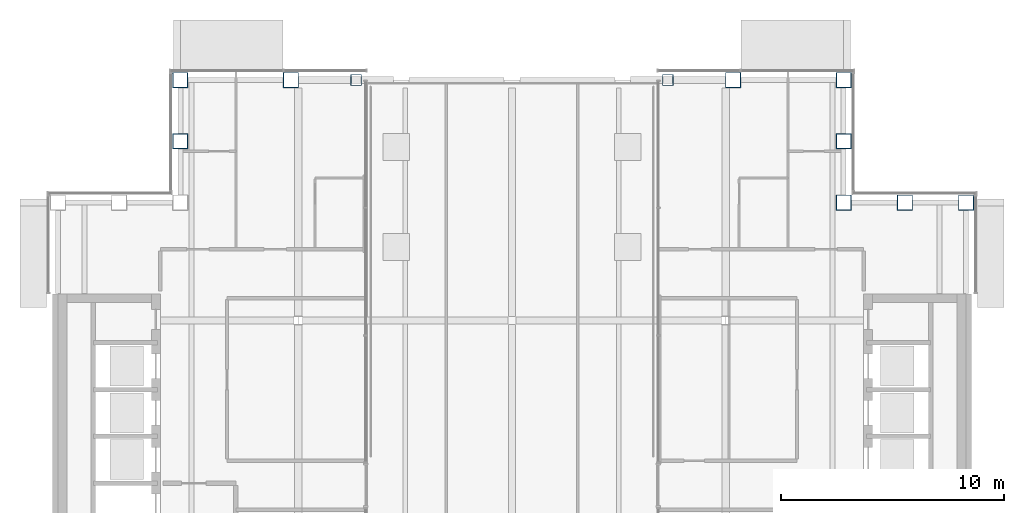
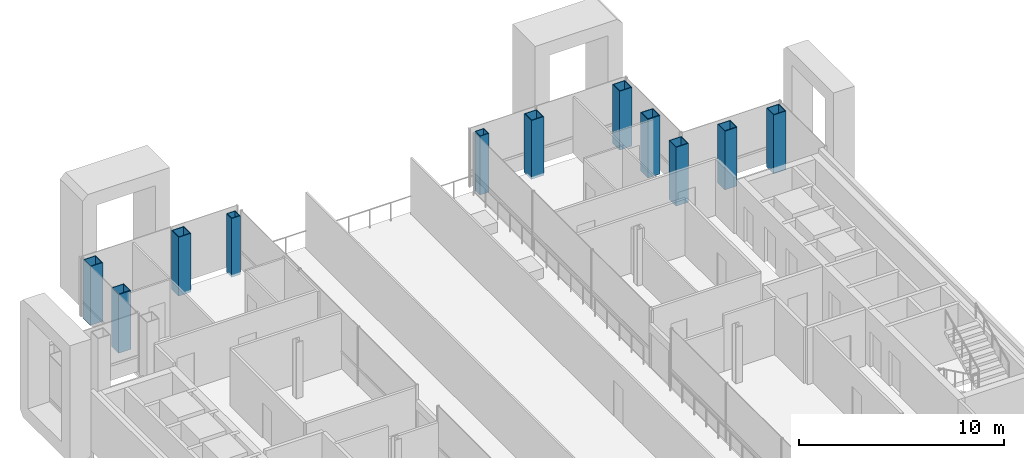
# One storey, part 2 of 17: 11 columns.
"""IFC4 building model written with IfcOpenShell, lengths in metres."""

from ifc_helpers import new_model, si_unit, direction, frame, origin, origin_2d, place, context, subcontext, project, spatial, hollow_rectangle, extrude, material, material_profile, profile_set, type_object, element, save


model = new_model("IFC4")

# Units and contexts
model_context = context("Model", 3, precision=1e-05, world=origin(), true_north=direction((0.0, 1.0)))
body_context = subcontext(model_context, "Body", "Model", "MODEL_VIEW")
ifc_project = project(units=[si_unit("LENGTHUNIT", "METRE"), si_unit("AREAUNIT", "SQUARE_METRE"), si_unit("VOLUMEUNIT", "CUBIC_METRE"), si_unit("PLANEANGLEUNIT", "RADIAN"), si_unit("MASSUNIT", "GRAM", prefix="KILO")], contexts=[model_context])

# Site, building, storey
site_placement = place(None, origin())
site = spatial("IfcSite", under=ifc_project, at=site_placement, CompositionType="ELEMENT")
building_placement = place(site_placement, origin())
building = spatial("IfcBuilding", under=site, at=building_placement, Name="Cobrizo Arcos Hotel Tower", CompositionType="ELEMENT")
storey_placement = place(building_placement, frame((0.0, 0.0, 219.0)))
storey = spatial("IfcBuildingStorey", under=building, at=storey_placement, Name="L57", CompositionType="ELEMENT", Elevation=219.0)

# Columns
ifc_material = material(Name="Steel ASTM A572 Grade 50", Category="steel")
ifc_material_profile_1 = material_profile(ifc_material, hollow_rectangle(XDim=0.5, YDim=0.5, WallThickness=0.030029296875, at=origin_2d()), Name="BOX 500X500X30")
ifc_profile_set_1 = profile_set([ifc_material_profile_1], Name="Steel ASTM A572 Grade 50")
column_type_1 = type_object("IfcColumnType", Name="BOX 500X500X30 column", PredefinedType="COLUMN", material=ifc_profile_set_1)
for number, where, z_axis, x_axis, name in (
    (1, (-7.0, 20.39990234375, -0.14990234375), (0.0, 0.0, 1.0), (1.0, 0.0, 0.0), "Perimeter column C11, L57, no. 24"),
    (2, (7.0, 20.39990234375, -0.14990234375), (0.0, 0.0, 1.0), (1.0, 0.0, 0.0), "Perimeter column C11, L57, no. 26"),
):
    element("IfcColumn", number, at=place(storey_placement, frame(where, z_axis=z_axis, x_axis=x_axis)), inside=storey, type_object=column_type_1, Name=name, PredefinedType="COLUMN", context=body_context, shape_type="SweptSolid", body=[
        extrude(hollow_rectangle(XDim=0.5, YDim=0.5, WallThickness=0.030029296875, at=origin_2d()), origin(), (0.0, 0.0, 1.0), 3.5),
    ])
ifc_material_profile_2 = material_profile(ifc_material, hollow_rectangle(XDim=0.699951171875, YDim=0.699951171875, WallThickness=0.0400390625, at=origin_2d()), Name="BOX 700X700X40")
ifc_profile_set_2 = profile_set([ifc_material_profile_2], Name="Steel ASTM A572 Grade 50")
column_type_2 = type_object("IfcColumnType", Name="BOX 700X700X40 column", PredefinedType="COLUMN", material=ifc_profile_set_2)
for number, where, z_axis, x_axis, name in (
    (3, (-14.89990234375, 20.39990234375, -0.14990234375), (0.0, 0.0, 1.0), (1.0, 0.0, 0.0), "Perimeter column C10, L57, no. 00"),
    (4, (-9.93310546875, 20.39990234375, -0.14990234375), (0.0, 0.0, 1.0), (1.0, 0.0, 0.0), "Perimeter column C10, L57, no. 02"),
    (5, (9.93310546875, 20.39990234375, -0.14990234375), (0.0, 0.0, 1.0), (1.0, 0.0, 0.0), "Perimeter column C10, L57, no. 04"),
    (6, (14.89990234375, 20.39990234375, -0.14990234375), (0.0, 0.0, 1.0), (1.0, 0.0, 0.0), "Perimeter column C10, L57, no. 06"),
    (7, (20.39990234375, 14.89990234375, -0.14990234375), (0.0, 0.0, 1.0), (1.0, 0.0, 0.0), "Perimeter column C10, L57, no. 10"),
    (8, (-14.89990234375, 17.64990234375, -0.14990234375), (0.0, 0.0, 1.0), (1.0, 0.0, 0.0), "Perimeter column C10, L57, no. 16"),
    (9, (14.89990234375, 14.89990234375, -0.14990234375), (0.0, 0.0, 1.0), (1.0, 0.0, 0.0), "Perimeter column C10, L57, no. 21"),
    (10, (14.89990234375, 17.64990234375, -0.14990234375), (0.0, 0.0, 1.0), (1.0, 0.0, 0.0), "Perimeter column C10, L57, no. 22"),
    (11, (17.64990234375, 14.89990234375, -0.14990234375), (0.0, 0.0, 1.0), (1.0, 0.0, 0.0), "Perimeter column C10, L57, no. 23"),
):
    element("IfcColumn", number, at=place(storey_placement, frame(where, z_axis=z_axis, x_axis=x_axis)), inside=storey, type_object=column_type_2, Name=name, PredefinedType="COLUMN", context=body_context, shape_type="SweptSolid", body=[
        extrude(hollow_rectangle(XDim=0.699951171875, YDim=0.699951171875, WallThickness=0.0400390625, at=origin_2d()), origin(), (0.0, 0.0, 1.0), 3.5),
    ])

save(model, "model.ifc")
